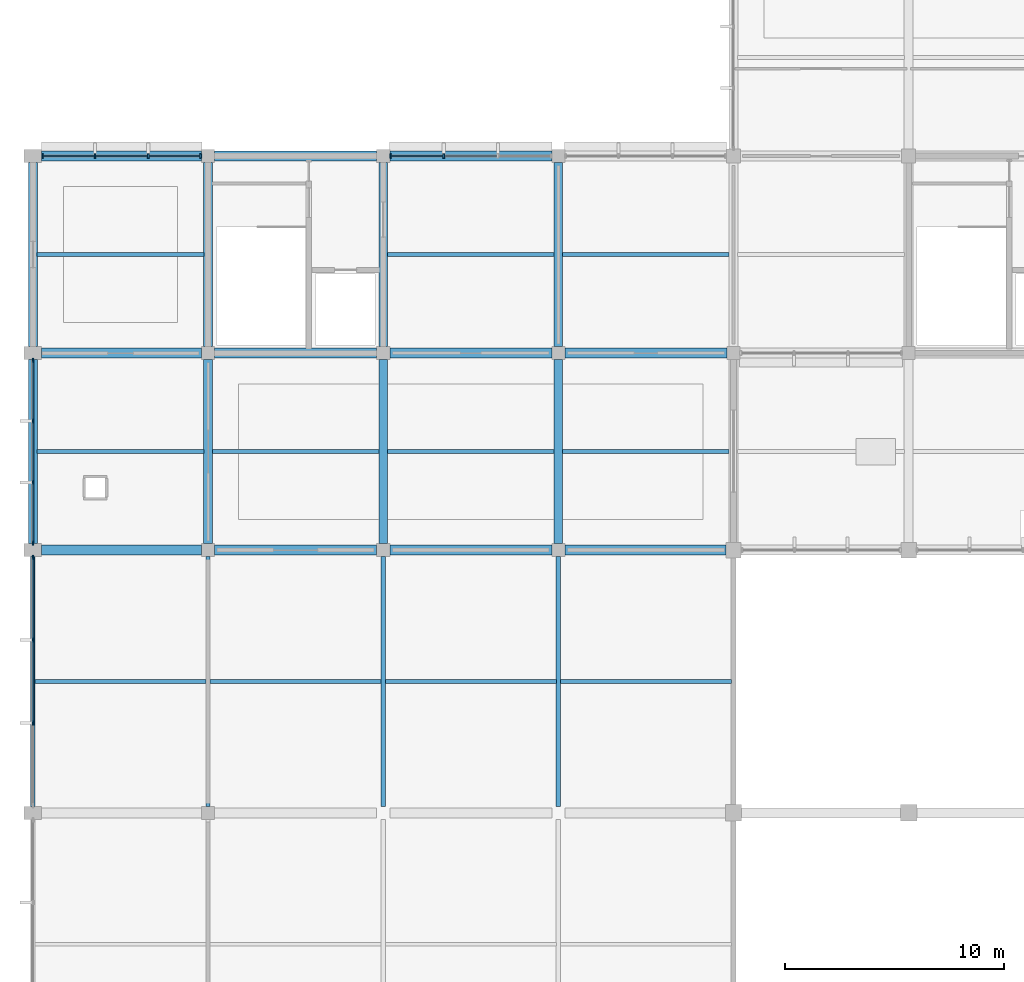
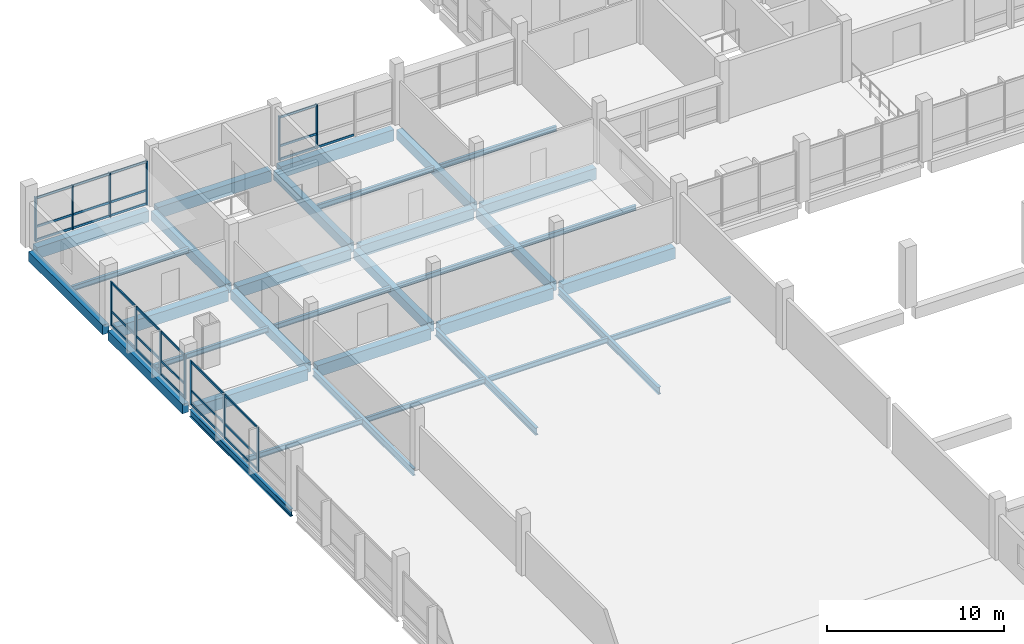
# One storey, part 18 of 70: 41 members, 34 beams, 4 elements without a shape of their own.
"""IFC4 building model written with IfcOpenShell, lengths in metres."""

from ifc_helpers import new_model, si_unit, direction, frame, origin, origin_2d, place, context, subcontext, project, spatial, rectangle, i_section, extrude, material, material_profile, profile_set, type_object, element, aggregate, save


model = new_model("IFC4")

# Units and contexts
model_context = context("Model", 3, precision=1e-05, world=origin(), true_north=direction((0.0, 1.0)))
body_context = subcontext(model_context, "Body", "Model", "MODEL_VIEW")
ifc_project = project(units=[si_unit("LENGTHUNIT", "METRE"), si_unit("AREAUNIT", "SQUARE_METRE"), si_unit("VOLUMEUNIT", "CUBIC_METRE"), si_unit("PLANEANGLEUNIT", "RADIAN"), si_unit("MASSUNIT", "GRAM", prefix="KILO"), si_unit("THERMODYNAMICTEMPERATUREUNIT", "KELVIN"), si_unit("POWERUNIT", "WATT")], contexts=[model_context])

# Site, building, storey
site_placement = place(None, origin())
site = spatial("IfcSite", under=ifc_project, at=site_placement, CompositionType="ELEMENT")
building_placement = place(site_placement, origin())
building = spatial("IfcBuilding", under=site, at=building_placement, Name="Kronsvod Quay Wholesale Market", CompositionType="ELEMENT")
storey_placement = place(building_placement, frame((0.0, 0.0, 9.0)))
storey = spatial("IfcBuildingStorey", under=building, at=storey_placement, Name="L02", CompositionType="ELEMENT", Elevation=9.0)

# Beams
ifc_material_1 = material(Name="Precast concrete C40/50", Category="concrete")
ifc_material_profile_1 = material_profile(ifc_material_1, rectangle(XDim=0.39990234375, YDim=0.64990234375, at=origin_2d()), Name="PCB400x650")
ifc_profile_set_1 = profile_set([ifc_material_profile_1], Name="Precast concrete C40/50")
beam_type_1 = type_object("IfcBeamType", Name="Beam_PCB400x650", PredefinedType="BEAM", material=ifc_profile_set_1)
for number, where, z_axis, x_axis, name in (
    (1, (0.0, 90.300048828125, -0.635009765625), (0.0, 1.0, 0.0), (-1.0, 0.0, 0.0), "BMY-L02-0-900"),
    (2, (0.0, 99.300048828125, -0.635009765625), (0.0, 1.0, 0.0), (-1.0, 0.0, 0.0), "BMY-L02-0-990"),
    (3, (8.0, 90.300048828125, -0.635009765625), (0.0, 1.0, 0.0), (-1.0, 0.0, 0.0), "BMY-L02-80-900"),
    (4, (8.0, 99.300048828125, -0.635009765625), (0.0, 1.0, 0.0), (-1.0, 0.0, 0.0), "BMY-L02-80-990"),
    (5, (16.0, 90.300048828125, -0.635009765625), (0.0, 1.0, 0.0), (-1.0, 0.0, 0.0), "BMY-L02-160-900"),
    (6, (16.0, 99.300048828125, -0.635009765625), (0.0, 1.0, 0.0), (-1.0, 0.0, 0.0), "BMY-L02-160-990"),
    (7, (24.0, 90.300048828125, -0.635009765625), (0.0, 1.0, 0.0), (-1.0, 0.0, 0.0), "BMY-L02-240-900"),
    (8, (24.0, 99.300048828125, -0.635009765625), (0.0, 1.0, 0.0), (-1.0, 0.0, 0.0), "BMY-L02-240-990"),
):
    element("IfcBeam", number, at=place(storey_placement, frame(where, z_axis=z_axis, x_axis=x_axis)), inside=storey, type_object=beam_type_1, Name=name, PredefinedType="BEAM", context=body_context, shape_type="SweptSolid", body=[
        extrude(rectangle(XDim=0.39990234375, YDim=0.64990234375, at=origin_2d()), origin(), (0.0, 0.0, 1.0), 8.39990234375),
    ])
ifc_material_2 = material(Name="Precast concrete C40/50", Category="concrete")
ifc_material_profile_2 = material_profile(ifc_material_2, rectangle(XDim=0.4599609375, YDim=0.780029296875, at=origin_2d()), Name="PB-03")
ifc_profile_set_2 = profile_set([ifc_material_profile_2], Name="Precast concrete C40/50")
beam_type_2 = type_object("IfcBeamType", Name="Beam_PCB460x780", PredefinedType="BEAM", material=ifc_profile_set_2)
beam_1_placement = place(storey_placement, frame((0.39990234375, 90.0, -0.699951171875), z_axis=(1.0, 0.0, 0.0), x_axis=(0.0, 1.0, 0.0)))
element("IfcBeam", 9, at=beam_1_placement, inside=storey, type_object=beam_type_2, Name="BMX-L02-0-900", PredefinedType="BEAM", context=body_context, shape_type="SweptSolid", body=[
    extrude(rectangle(XDim=0.4599609375, YDim=0.780029296875, at=origin_2d()), origin(), (0.0, 0.0, 1.0), 7.300048828125),
])
for number, where, z_axis, x_axis, name in (
    (10, (8.300048828125, 90.0, -0.699951171875), (1.0, 0.0, 0.0), (0.0, 1.0, 0.0), "BMX-L02-80-900"),
    (11, (16.300048828125, 90.0, -0.699951171875), (1.0, 0.0, 0.0), (0.0, 1.0, 0.0), "BMX-L02-160-900"),
):
    element("IfcBeam", number, at=place(storey_placement, frame(where, z_axis=z_axis, x_axis=x_axis)), inside=storey, type_object=beam_type_2, Name=name, PredefinedType="BEAM", context=body_context, shape_type="SweptSolid", body=[
        extrude(rectangle(XDim=0.4599609375, YDim=0.780029296875, at=origin_2d()), origin(), (0.0, 0.0, 1.0), 7.39990234375),
    ])
beam_2_placement = place(storey_placement, frame((24.300048828125, 90.0, -0.699951171875), z_axis=(1.0, 0.0, 0.0), x_axis=(0.0, 1.0, 0.0)))
element("IfcBeam", 12, at=beam_2_placement, inside=storey, type_object=beam_type_2, Name="BMX-L02-240-900", PredefinedType="BEAM", context=body_context, shape_type="SweptSolid", body=[
    extrude(rectangle(XDim=0.4599609375, YDim=0.780029296875, at=origin_2d()), origin(), (0.0, 0.0, 1.0), 7.349853515625),
])
beam_3_placement = place(storey_placement, frame((0.39990234375, 99.0, -0.699951171875), z_axis=(1.0, 0.0, 0.0), x_axis=(0.0, 1.0, 0.0)))
element("IfcBeam", 13, at=beam_3_placement, inside=storey, type_object=beam_type_2, Name="BMX-L02-0-990", PredefinedType="BEAM", context=body_context, shape_type="SweptSolid", body=[
    extrude(rectangle(XDim=0.4599609375, YDim=0.780029296875, at=origin_2d()), origin(), (0.0, 0.0, 1.0), 7.300048828125),
])
for number, where, z_axis, x_axis, name in (
    (14, (8.300048828125, 99.0, -0.699951171875), (1.0, 0.0, 0.0), (0.0, 1.0, 0.0), "BMX-L02-80-990"),
    (15, (16.300048828125, 99.0, -0.699951171875), (1.0, 0.0, 0.0), (0.0, 1.0, 0.0), "BMX-L02-160-990"),
    (16, (24.300048828125, 99.0, -0.699951171875), (1.0, 0.0, 0.0), (0.0, 1.0, 0.0), "BMX-L02-240-990"),
):
    element("IfcBeam", number, at=place(storey_placement, frame(where, z_axis=z_axis, x_axis=x_axis)), inside=storey, type_object=beam_type_2, Name=name, PredefinedType="BEAM", context=body_context, shape_type="SweptSolid", body=[
        extrude(rectangle(XDim=0.4599609375, YDim=0.780029296875, at=origin_2d()), origin(), (0.0, 0.0, 1.0), 7.39990234375),
    ])
beam_4_placement = place(storey_placement, frame((0.39990234375, 108.0, -0.699951171875), z_axis=(1.0, 0.0, 0.0), x_axis=(0.0, 1.0, 0.0)))
element("IfcBeam", 17, at=beam_4_placement, inside=storey, type_object=beam_type_2, Name="BMX-L02-0-1080", PredefinedType="BEAM", context=body_context, shape_type="SweptSolid", body=[
    extrude(rectangle(XDim=0.4599609375, YDim=0.780029296875, at=origin_2d()), origin(), (0.0, 0.0, 1.0), 7.300048828125),
])
for number, where, z_axis, x_axis, name in (
    (18, (8.300048828125, 108.0, -0.699951171875), (1.0, 0.0, 0.0), (0.0, 1.0, 0.0), "BMX-L02-80-1080"),
    (19, (16.300048828125, 108.0, -0.699951171875), (1.0, 0.0, 0.0), (0.0, 1.0, 0.0), "BMX-L02-160-1080"),
):
    element("IfcBeam", number, at=place(storey_placement, frame(where, z_axis=z_axis, x_axis=x_axis)), inside=storey, type_object=beam_type_2, Name=name, PredefinedType="BEAM", context=body_context, shape_type="SweptSolid", body=[
        extrude(rectangle(XDim=0.4599609375, YDim=0.780029296875, at=origin_2d()), origin(), (0.0, 0.0, 1.0), 7.39990234375),
    ])
ifc_material_3 = material(Name="Steel S355", Category="steel")
ifc_material_profile_3 = material_profile(ifc_material_3, i_section(OverallWidth=0.198974609375, OverallDepth=0.49609375, WebThickness=0.009033203125, FlangeThickness=0.013916015625, FilletRadius=0.02001953125, at=origin_2d()), Name="50B1")
ifc_profile_set_3 = profile_set([ifc_material_profile_3], Name="Steel S355")
beam_type_3 = type_object("IfcBeamType", Name="Girder_Steel50B1", PredefinedType="T_BEAM", material=ifc_profile_set_3)
for number, where, z_axis, x_axis, name in (
    (20, (0.0, 78.300048828125, -0.55810546875), (0.0, 1.0, 0.0), (-1.0, 0.0, 0.0), "BMY-L02-0-780"),
    (21, (8.0, 78.300048828125, -0.55810546875), (0.0, 1.0, 0.0), (-1.0, 0.0, 0.0), "BMY-L02-80-780"),
    (22, (16.0, 78.300048828125, -0.55810546875), (0.0, 1.0, 0.0), (-1.0, 0.0, 0.0), "BMY-L02-160-780"),
    (23, (24.0, 78.300048828125, -0.55810546875), (0.0, 1.0, 0.0), (-1.0, 0.0, 0.0), "BMY-L02-240-780"),
):
    element("IfcBeam", number, at=place(storey_placement, frame(where, z_axis=z_axis, x_axis=x_axis)), inside=storey, type_object=beam_type_3, Name=name, PredefinedType="T_BEAM", context=body_context, shape_type="SweptSolid", body=[
        extrude(i_section(OverallWidth=0.198974609375, OverallDepth=0.49609375, WebThickness=0.009033203125, FlangeThickness=0.013916015625, FilletRadius=0.02001953125, at=origin_2d()), origin(), (0.0, 0.0, 1.0), 11.39990234375),
    ])
ifc_material_4 = material(Name="Steel S355", Category="steel")
ifc_material_profile_4 = material_profile(ifc_material_4, i_section(OverallWidth=0.174072265625, OverallDepth=0.345947265625, WebThickness=0.006103515625, FlangeThickness=0.009033203125, FilletRadius=0.013916015625, at=origin_2d()), Name="35B1")
ifc_profile_set_4 = profile_set([ifc_material_profile_4], Name="Steel S355")
beam_type_4 = type_object("IfcBeamType", Name="Joist_Steel35B1", PredefinedType="JOIST", material=ifc_profile_set_4)
beam_5_placement = place(storey_placement, frame((0.094482421875, 84.0, -0.443115234375), z_axis=(1.0, 0.0, 0.0), x_axis=(0.0, 1.0, 0.0)))
element("IfcBeam", 24, at=beam_5_placement, inside=storey, type_object=beam_type_4, Name="JSTX-L02-0-780", PredefinedType="JOIST", context=body_context, shape_type="SweptSolid", body=[
    extrude(i_section(OverallWidth=0.174072265625, OverallDepth=0.345947265625, WebThickness=0.006103515625, FlangeThickness=0.009033203125, FilletRadius=0.013916015625, at=origin_2d()), origin(), (0.0, 0.0, 1.0), 7.81103515625),
])
for number, where, z_axis, x_axis, name in (
    (25, (0.195068359375, 94.5, -0.443115234375), (1.0, 0.0, 0.0), (0.0, 1.0, 0.0), "JSTX-L02-0-900"),
    (26, (0.195068359375, 103.5, -0.443115234375), (1.0, 0.0, 0.0), (0.0, 1.0, 0.0), "JSTX-L02-0-990"),
):
    element("IfcBeam", number, at=place(storey_placement, frame(where, z_axis=z_axis, x_axis=x_axis)), inside=storey, type_object=beam_type_4, Name=name, PredefinedType="JOIST", context=body_context, shape_type="SweptSolid", body=[
        extrude(i_section(OverallWidth=0.174072265625, OverallDepth=0.345947265625, WebThickness=0.006103515625, FlangeThickness=0.009033203125, FilletRadius=0.013916015625, at=origin_2d()), origin(), (0.0, 0.0, 1.0), 7.60986328125),
    ])
beam_6_placement = place(storey_placement, frame((8.094482421875, 84.0, -0.443115234375), z_axis=(1.0, 0.0, 0.0), x_axis=(0.0, 1.0, 0.0)))
element("IfcBeam", 27, at=beam_6_placement, inside=storey, type_object=beam_type_4, Name="JSTX-L02-80-780", PredefinedType="JOIST", context=body_context, shape_type="SweptSolid", body=[
    extrude(i_section(OverallWidth=0.174072265625, OverallDepth=0.345947265625, WebThickness=0.006103515625, FlangeThickness=0.009033203125, FilletRadius=0.013916015625, at=origin_2d()), origin(), (0.0, 0.0, 1.0), 7.81103515625),
])
beam_7_placement = place(storey_placement, frame((8.195068359375, 94.5, -0.443115234375), z_axis=(1.0, 0.0, 0.0), x_axis=(0.0, 1.0, 0.0)))
element("IfcBeam", 28, at=beam_7_placement, inside=storey, type_object=beam_type_4, Name="JSTX-L02-80-900", PredefinedType="JOIST", context=body_context, shape_type="SweptSolid", body=[
    extrude(i_section(OverallWidth=0.174072265625, OverallDepth=0.345947265625, WebThickness=0.006103515625, FlangeThickness=0.009033203125, FilletRadius=0.013916015625, at=origin_2d()), origin(), (0.0, 0.0, 1.0), 7.60986328125),
])
beam_8_placement = place(storey_placement, frame((16.094482421875, 84.0, -0.443115234375), z_axis=(1.0, 0.0, 0.0), x_axis=(0.0, 1.0, 0.0)))
element("IfcBeam", 29, at=beam_8_placement, inside=storey, type_object=beam_type_4, Name="JSTX-L02-160-780", PredefinedType="JOIST", context=body_context, shape_type="SweptSolid", body=[
    extrude(i_section(OverallWidth=0.174072265625, OverallDepth=0.345947265625, WebThickness=0.006103515625, FlangeThickness=0.009033203125, FilletRadius=0.013916015625, at=origin_2d()), origin(), (0.0, 0.0, 1.0), 7.81103515625),
])
for number, where, z_axis, x_axis, name in (
    (30, (16.195068359375, 94.5, -0.443115234375), (1.0, 0.0, 0.0), (0.0, 1.0, 0.0), "JSTX-L02-160-900"),
    (31, (16.195068359375, 103.5, -0.443115234375), (1.0, 0.0, 0.0), (0.0, 1.0, 0.0), "JSTX-L02-160-990"),
):
    element("IfcBeam", number, at=place(storey_placement, frame(where, z_axis=z_axis, x_axis=x_axis)), inside=storey, type_object=beam_type_4, Name=name, PredefinedType="JOIST", context=body_context, shape_type="SweptSolid", body=[
        extrude(i_section(OverallWidth=0.174072265625, OverallDepth=0.345947265625, WebThickness=0.006103515625, FlangeThickness=0.009033203125, FilletRadius=0.013916015625, at=origin_2d()), origin(), (0.0, 0.0, 1.0), 7.60986328125),
    ])
beam_9_placement = place(storey_placement, frame((24.094482421875, 84.0, -0.443115234375), z_axis=(1.0, 0.0, 0.0), x_axis=(0.0, 1.0, 0.0)))
element("IfcBeam", 32, at=beam_9_placement, inside=storey, type_object=beam_type_4, Name="JSTX-L02-240-780", PredefinedType="JOIST", context=body_context, shape_type="SweptSolid", body=[
    extrude(i_section(OverallWidth=0.174072265625, OverallDepth=0.345947265625, WebThickness=0.006103515625, FlangeThickness=0.009033203125, FilletRadius=0.013916015625, at=origin_2d()), origin(), (0.0, 0.0, 1.0), 7.81103515625),
])
for number, where, z_axis, x_axis, name in (
    (33, (24.195068359375, 94.5, -0.443115234375), (1.0, 0.0, 0.0), (0.0, 1.0, 0.0), "JSTX-L02-240-900"),
    (34, (24.195068359375, 103.5, -0.443115234375), (1.0, 0.0, 0.0), (0.0, 1.0, 0.0), "JSTX-L02-240-990"),
):
    element("IfcBeam", number, at=place(storey_placement, frame(where, z_axis=z_axis, x_axis=x_axis)), inside=storey, type_object=beam_type_4, Name=name, PredefinedType="JOIST", context=body_context, shape_type="SweptSolid", body=[
        extrude(i_section(OverallWidth=0.174072265625, OverallDepth=0.345947265625, WebThickness=0.006103515625, FlangeThickness=0.009033203125, FilletRadius=0.013916015625, at=origin_2d()), origin(), (0.0, 0.0, 1.0), 7.60986328125),
    ])

# Curtain wall, members
ifc_material_5 = material(Name="Thermally broken aluminium and triple low-E glazing", Category="aluminium")
curtain_wall_type_1 = type_object("IfcCurtainWallType", Name="CW_Forecourt80x33", PredefinedType="NOTDEFINED", material=ifc_material_5)
curtain_wall_1_placement = place(storey_placement, origin())
curtain_wall_1 = element("IfcCurtainWall", 35, at=curtain_wall_1_placement, inside=storey, type_object=curtain_wall_type_1, Name="CWGX-L02-0-1080", PredefinedType="NOTDEFINED")
ifc_material_6 = material(Name="Anodised aluminium", Category="aluminium")
ifc_material_profile_5 = material_profile(ifc_material_6, rectangle(XDim=0.074951171875, YDim=0.199951171875, at=origin_2d()), Name="ALUM75x200")
ifc_profile_set_5 = profile_set([ifc_material_profile_5], Name="Anodised aluminium")
member_type_1 = type_object("IfcMemberType", Name="Mullion_ALU75x200", PredefinedType="MULLION", material=ifc_profile_set_5)
member_1_placement = place(storey_placement, frame((7.66748046875, 108.0, 0.0), z_axis=(0.0, 0.0, 1.0), x_axis=(1.0, 0.0, 0.0)))
member_1 = element("IfcMember", 36, at=member_1_placement, type_object=member_type_1, Name="CWGX-L02-0-1080-M1", PredefinedType="MULLION", context=body_context, shape_type="SweptSolid", body=[
    extrude(rectangle(XDim=0.074951171875, YDim=0.199951171875, at=origin_2d()), origin(), (0.0, 0.0, 1.0), 3.050048828125),
])
member_2_placement = place(storey_placement, frame((5.268310546875, 108.0, 0.0), z_axis=(0.0, 0.0, 1.0), x_axis=(1.0, 0.0, 0.0)))
member_2 = element("IfcMember", 37, at=member_2_placement, type_object=member_type_1, Name="CWGX-L02-0-1080-M2", PredefinedType="MULLION", context=body_context, shape_type="SweptSolid", body=[
    extrude(rectangle(XDim=0.074951171875, YDim=0.199951171875, at=origin_2d()), origin(), (0.0, 0.0, 1.0), 3.050048828125),
])
member_3_placement = place(storey_placement, frame((2.831787109375, 108.0, 0.0), z_axis=(0.0, 0.0, 1.0), x_axis=(1.0, 0.0, 0.0)))
member_3 = element("IfcMember", 38, at=member_3_placement, type_object=member_type_1, Name="CWGX-L02-0-1080-M3", PredefinedType="MULLION", context=body_context, shape_type="SweptSolid", body=[
    extrude(rectangle(XDim=0.074951171875, YDim=0.199951171875, at=origin_2d()), origin(), (0.0, 0.0, 1.0), 3.050048828125),
])
member_4_placement = place(storey_placement, frame((0.4326171875, 108.0, 0.0), z_axis=(0.0, 0.0, 1.0), x_axis=(1.0, 0.0, 0.0)))
member_4 = element("IfcMember", 39, at=member_4_placement, type_object=member_type_1, Name="CWGX-L02-0-1080-M4", PredefinedType="MULLION", context=body_context, shape_type="SweptSolid", body=[
    extrude(rectangle(XDim=0.074951171875, YDim=0.199951171875, at=origin_2d()), origin(), (0.0, 0.0, 1.0), 3.050048828125),
])

curtain_wall_2_placement = place(storey_placement, origin())
curtain_wall_2 = element("IfcCurtainWall", 40, at=curtain_wall_2_placement, inside=storey, type_object=curtain_wall_type_1, Name="CWGX-L02-160-1080", PredefinedType="NOTDEFINED")
member_5_placement = place(storey_placement, frame((18.764892578125, 108.0, 0.0), z_axis=(0.0, 0.0, 1.0), x_axis=(1.0, 0.0, 0.0)))
member_5 = element("IfcMember", 41, at=member_5_placement, type_object=member_type_1, Name="CWGX-L02-160-1080-M3", PredefinedType="MULLION", context=body_context, shape_type="SweptSolid", body=[
    extrude(rectangle(XDim=0.074951171875, YDim=0.199951171875, at=origin_2d()), origin(), (0.0, 0.0, 1.0), 3.050048828125),
])
member_6_placement = place(storey_placement, frame((16.33251953125, 108.0, 0.0), z_axis=(0.0, 0.0, 1.0), x_axis=(1.0, 0.0, 0.0)))
member_6 = element("IfcMember", 42, at=member_6_placement, type_object=member_type_1, Name="CWGX-L02-160-1080-M4", PredefinedType="MULLION", context=body_context, shape_type="SweptSolid", body=[
    extrude(rectangle(XDim=0.074951171875, YDim=0.199951171875, at=origin_2d()), origin(), (0.0, 0.0, 1.0), 3.050048828125),
])

ifc_material_7 = material(Name="Thermally broken aluminium and triple low-E glazing", Category="aluminium")
curtain_wall_type_2 = type_object("IfcCurtainWallType", Name="CW_WestLab90x37", PredefinedType="NOTDEFINED", material=ifc_material_7)
curtain_wall_3_placement = place(storey_placement, origin())
curtain_wall_3 = element("IfcCurtainWall", 43, at=curtain_wall_3_placement, inside=storey, type_object=curtain_wall_type_2, Name="CWGY-L02-0-780", PredefinedType="NOTDEFINED")
member_7_placement = place(storey_placement, frame((0.0, 89.66748046875, 0.0), z_axis=(0.0, 0.0, 1.0), x_axis=(1.0, 0.0, 0.0)))
member_7 = element("IfcMember", 44, at=member_7_placement, type_object=member_type_1, Name="CWGY-L02-0-780-M1", PredefinedType="MULLION", context=body_context, shape_type="SweptSolid", body=[
    extrude(rectangle(XDim=0.074951171875, YDim=0.199951171875, at=origin_2d()), origin(), (0.0, 0.0, 1.0), 3.050048828125),
])
member_8_placement = place(storey_placement, frame((0.0, 85.901611328125, 0.0), z_axis=(0.0, 0.0, 1.0), x_axis=(1.0, 0.0, 0.0)))
member_8 = element("IfcMember", 45, at=member_8_placement, type_object=member_type_1, Name="CWGY-L02-0-780-M2", PredefinedType="MULLION", context=body_context, shape_type="SweptSolid", body=[
    extrude(rectangle(XDim=0.074951171875, YDim=0.199951171875, at=origin_2d()), origin(), (0.0, 0.0, 1.0), 3.050048828125),
])
member_9_placement = place(storey_placement, frame((0.0, 82.098388671875, 0.0), z_axis=(0.0, 0.0, 1.0), x_axis=(1.0, 0.0, 0.0)))
member_9 = element("IfcMember", 46, at=member_9_placement, type_object=member_type_1, Name="CWGY-L02-0-780-M3", PredefinedType="MULLION", context=body_context, shape_type="SweptSolid", body=[
    extrude(rectangle(XDim=0.074951171875, YDim=0.199951171875, at=origin_2d()), origin(), (0.0, 0.0, 1.0), 3.050048828125),
])

ifc_material_8 = material(Name="Thermally broken aluminium and triple low-E glazing", Category="aluminium")
curtain_wall_type_3 = type_object("IfcCurtainWallType", Name="CW_Wing90x33", PredefinedType="NOTDEFINED", material=ifc_material_8)
curtain_wall_4_placement = place(storey_placement, origin())
curtain_wall_4 = element("IfcCurtainWall", 47, at=curtain_wall_4_placement, inside=storey, type_object=curtain_wall_type_3, Name="CWGY-L02-0-900", PredefinedType="NOTDEFINED")
member_10_placement = place(storey_placement, frame((0.0, 98.66748046875, 0.0), z_axis=(0.0, 0.0, 1.0), x_axis=(1.0, 0.0, 0.0)))
member_10 = element("IfcMember", 48, at=member_10_placement, type_object=member_type_1, Name="CWGY-L02-0-900-M1", PredefinedType="MULLION", context=body_context, shape_type="SweptSolid", body=[
    extrude(rectangle(XDim=0.074951171875, YDim=0.199951171875, at=origin_2d()), origin(), (0.0, 0.0, 1.0), 3.050048828125),
])
member_11_placement = place(storey_placement, frame((0.0, 95.901611328125, 0.0), z_axis=(0.0, 0.0, 1.0), x_axis=(1.0, 0.0, 0.0)))
member_11 = element("IfcMember", 49, at=member_11_placement, type_object=member_type_1, Name="CWGY-L02-0-900-M2", PredefinedType="MULLION", context=body_context, shape_type="SweptSolid", body=[
    extrude(rectangle(XDim=0.074951171875, YDim=0.199951171875, at=origin_2d()), origin(), (0.0, 0.0, 1.0), 3.050048828125),
])
member_12_placement = place(storey_placement, frame((0.0, 93.098388671875, 0.0), z_axis=(0.0, 0.0, 1.0), x_axis=(1.0, 0.0, 0.0)))
member_12 = element("IfcMember", 50, at=member_12_placement, type_object=member_type_1, Name="CWGY-L02-0-900-M3", PredefinedType="MULLION", context=body_context, shape_type="SweptSolid", body=[
    extrude(rectangle(XDim=0.074951171875, YDim=0.199951171875, at=origin_2d()), origin(), (0.0, 0.0, 1.0), 3.050048828125),
])
member_13_placement = place(storey_placement, frame((0.0, 90.33251953125, 0.0), z_axis=(0.0, 0.0, 1.0), x_axis=(1.0, 0.0, 0.0)))
member_13 = element("IfcMember", 51, at=member_13_placement, type_object=member_type_1, Name="CWGY-L02-0-900-M4", PredefinedType="MULLION", context=body_context, shape_type="SweptSolid", body=[
    extrude(rectangle(XDim=0.074951171875, YDim=0.199951171875, at=origin_2d()), origin(), (0.0, 0.0, 1.0), 3.050048828125),
])

# Member
ifc_material_9 = material(Name="Anodised aluminium", Category="aluminium")
ifc_material_profile_6 = material_profile(ifc_material_9, rectangle(XDim=0.074951171875, YDim=0.14990234375, at=origin_2d()), Name="ALUT75x150")
ifc_profile_set_6 = profile_set([ifc_material_profile_6], Name="Anodised aluminium")
member_type_2 = type_object("IfcMemberType", Name="Transom_ALU75x150", PredefinedType="USERDEFINED", material=ifc_profile_set_6)
member_14_placement = place(storey_placement, frame((7.6298828125, 108.0, 0.074951171875), z_axis=(-1.0, 0.0, 0.0), x_axis=(0.0, -1.0, 0.0)))
member_14 = element("IfcMember", 52, at=member_14_placement, type_object=member_type_2, Name="CWGX-L02-0-1080-T1B1", ObjectType="TRANSOM", PredefinedType="USERDEFINED", context=body_context, shape_type="SweptSolid", body=[
    extrude(rectangle(XDim=0.074951171875, YDim=0.14990234375, at=origin_2d()), origin(), (0.0, 0.0, 1.0), 2.323974609375),
])

member_15_placement = place(storey_placement, frame((5.230712890625, 108.0, 0.074951171875), z_axis=(-1.0, 0.0, 0.0), x_axis=(0.0, -1.0, 0.0)))
member_15 = element("IfcMember", 53, at=member_15_placement, type_object=member_type_2, Name="CWGX-L02-0-1080-T1B2", ObjectType="TRANSOM", PredefinedType="USERDEFINED", context=body_context, shape_type="SweptSolid", body=[
    extrude(rectangle(XDim=0.074951171875, YDim=0.14990234375, at=origin_2d()), origin(), (0.0, 0.0, 1.0), 2.361572265625),
])

member_16_placement = place(storey_placement, frame((2.794189453125, 108.0, 0.074951171875), z_axis=(-1.0, 0.0, 0.0), x_axis=(0.0, -1.0, 0.0)))
member_16 = element("IfcMember", 54, at=member_16_placement, type_object=member_type_2, Name="CWGX-L02-0-1080-T1B3", ObjectType="TRANSOM", PredefinedType="USERDEFINED", context=body_context, shape_type="SweptSolid", body=[
    extrude(rectangle(XDim=0.074951171875, YDim=0.14990234375, at=origin_2d()), origin(), (0.0, 0.0, 1.0), 2.32421875),
])

member_17_placement = place(storey_placement, frame((7.6298828125, 108.0, 1.0), z_axis=(-1.0, 0.0, 0.0), x_axis=(0.0, -1.0, 0.0)))
member_17 = element("IfcMember", 55, at=member_17_placement, type_object=member_type_2, Name="CWGX-L02-0-1080-T2B1", ObjectType="TRANSOM", PredefinedType="USERDEFINED", context=body_context, shape_type="SweptSolid", body=[
    extrude(rectangle(XDim=0.074951171875, YDim=0.14990234375, at=origin_2d()), origin(), (0.0, 0.0, 1.0), 2.323974609375),
])

member_18_placement = place(storey_placement, frame((5.230712890625, 108.0, 1.0), z_axis=(-1.0, 0.0, 0.0), x_axis=(0.0, -1.0, 0.0)))
member_18 = element("IfcMember", 56, at=member_18_placement, type_object=member_type_2, Name="CWGX-L02-0-1080-T2B2", ObjectType="TRANSOM", PredefinedType="USERDEFINED", context=body_context, shape_type="SweptSolid", body=[
    extrude(rectangle(XDim=0.074951171875, YDim=0.14990234375, at=origin_2d()), origin(), (0.0, 0.0, 1.0), 2.361572265625),
])

member_19_placement = place(storey_placement, frame((2.794189453125, 108.0, 1.0), z_axis=(-1.0, 0.0, 0.0), x_axis=(0.0, -1.0, 0.0)))
member_19 = element("IfcMember", 57, at=member_19_placement, type_object=member_type_2, Name="CWGX-L02-0-1080-T2B3", ObjectType="TRANSOM", PredefinedType="USERDEFINED", context=body_context, shape_type="SweptSolid", body=[
    extrude(rectangle(XDim=0.074951171875, YDim=0.14990234375, at=origin_2d()), origin(), (0.0, 0.0, 1.0), 2.32421875),
])

member_20_placement = place(storey_placement, frame((7.6298828125, 108.0, 2.97509765625), z_axis=(-1.0, 0.0, 0.0), x_axis=(0.0, -1.0, 0.0)))
member_20 = element("IfcMember", 58, at=member_20_placement, type_object=member_type_2, Name="CWGX-L02-0-1080-T3B1", ObjectType="TRANSOM", PredefinedType="USERDEFINED", context=body_context, shape_type="SweptSolid", body=[
    extrude(rectangle(XDim=0.074951171875, YDim=0.14990234375, at=origin_2d()), origin(), (0.0, 0.0, 1.0), 2.323974609375),
])

member_21_placement = place(storey_placement, frame((5.230712890625, 108.0, 2.97509765625), z_axis=(-1.0, 0.0, 0.0), x_axis=(0.0, -1.0, 0.0)))
member_21 = element("IfcMember", 59, at=member_21_placement, type_object=member_type_2, Name="CWGX-L02-0-1080-T3B2", ObjectType="TRANSOM", PredefinedType="USERDEFINED", context=body_context, shape_type="SweptSolid", body=[
    extrude(rectangle(XDim=0.074951171875, YDim=0.14990234375, at=origin_2d()), origin(), (0.0, 0.0, 1.0), 2.361572265625),
])

member_22_placement = place(storey_placement, frame((2.794189453125, 108.0, 2.97509765625), z_axis=(-1.0, 0.0, 0.0), x_axis=(0.0, -1.0, 0.0)))
member_22 = element("IfcMember", 60, at=member_22_placement, type_object=member_type_2, Name="CWGX-L02-0-1080-T3B3", ObjectType="TRANSOM", PredefinedType="USERDEFINED", context=body_context, shape_type="SweptSolid", body=[
    extrude(rectangle(XDim=0.074951171875, YDim=0.14990234375, at=origin_2d()), origin(), (0.0, 0.0, 1.0), 2.32421875),
])

aggregate(curtain_wall_1, [member_1, member_2, member_3, member_4, member_14, member_15, member_16, member_17, member_18, member_19, member_20, member_21, member_22])

member_23_placement = place(storey_placement, frame((21.197509765625, 108.0, 0.074951171875), z_axis=(-1.0, 0.0, 0.0), x_axis=(0.0, -1.0, 0.0)))
member_23 = element("IfcMember", 61, at=member_23_placement, type_object=member_type_2, Name="CWGX-L02-160-1080-T1B2", ObjectType="TRANSOM", PredefinedType="USERDEFINED", context=body_context, shape_type="SweptSolid", body=[
    extrude(rectangle(XDim=0.074951171875, YDim=0.14990234375, at=origin_2d()), origin(), (0.0, 0.0, 1.0), 2.39501953125),
])

member_24_placement = place(storey_placement, frame((18.7275390625, 108.0, 0.074951171875), z_axis=(-1.0, 0.0, 0.0), x_axis=(0.0, -1.0, 0.0)))
member_24 = element("IfcMember", 62, at=member_24_placement, type_object=member_type_2, Name="CWGX-L02-160-1080-T1B3", ObjectType="TRANSOM", PredefinedType="USERDEFINED", context=body_context, shape_type="SweptSolid", body=[
    extrude(rectangle(XDim=0.074951171875, YDim=0.14990234375, at=origin_2d()), origin(), (0.0, 0.0, 1.0), 2.357421875),
])

member_25_placement = place(storey_placement, frame((18.7275390625, 108.0, 1.0), z_axis=(-1.0, 0.0, 0.0), x_axis=(0.0, -1.0, 0.0)))
member_25 = element("IfcMember", 63, at=member_25_placement, type_object=member_type_2, Name="CWGX-L02-160-1080-T2B3", ObjectType="TRANSOM", PredefinedType="USERDEFINED", context=body_context, shape_type="SweptSolid", body=[
    extrude(rectangle(XDim=0.074951171875, YDim=0.14990234375, at=origin_2d()), origin(), (0.0, 0.0, 1.0), 2.357421875),
])

member_26_placement = place(storey_placement, frame((18.7275390625, 108.0, 2.97509765625), z_axis=(-1.0, 0.0, 0.0), x_axis=(0.0, -1.0, 0.0)))
member_26 = element("IfcMember", 64, at=member_26_placement, type_object=member_type_2, Name="CWGX-L02-160-1080-T3B3", ObjectType="TRANSOM", PredefinedType="USERDEFINED", context=body_context, shape_type="SweptSolid", body=[
    extrude(rectangle(XDim=0.074951171875, YDim=0.14990234375, at=origin_2d()), origin(), (0.0, 0.0, 1.0), 2.357421875),
])

aggregate(curtain_wall_2, [member_5, member_6, member_23, member_24, member_25, member_26])

member_27_placement = place(storey_placement, frame((0.0, 89.6298828125, 0.074951171875), z_axis=(0.0, -1.0, 0.0), x_axis=(1.0, 0.0, 0.0)))
member_27 = element("IfcMember", 65, at=member_27_placement, type_object=member_type_2, Name="CWGY-L02-0-780-T1B1", ObjectType="TRANSOM", PredefinedType="USERDEFINED", context=body_context, shape_type="SweptSolid", body=[
    extrude(rectangle(XDim=0.074951171875, YDim=0.14990234375, at=origin_2d()), origin(), (0.0, 0.0, 1.0), 3.690673828125),
])

member_28_placement = place(storey_placement, frame((0.0, 85.8642578125, 0.074951171875), z_axis=(0.0, -1.0, 0.0), x_axis=(1.0, 0.0, 0.0)))
member_28 = element("IfcMember", 66, at=member_28_placement, type_object=member_type_2, Name="CWGY-L02-0-780-T1B2", ObjectType="TRANSOM", PredefinedType="USERDEFINED", context=body_context, shape_type="SweptSolid", body=[
    extrude(rectangle(XDim=0.074951171875, YDim=0.14990234375, at=origin_2d()), origin(), (0.0, 0.0, 1.0), 3.728515625),
])

member_29_placement = place(storey_placement, frame((0.0, 89.6298828125, 1.0), z_axis=(0.0, -1.0, 0.0), x_axis=(1.0, 0.0, 0.0)))
member_29 = element("IfcMember", 67, at=member_29_placement, type_object=member_type_2, Name="CWGY-L02-0-780-T2B1", ObjectType="TRANSOM", PredefinedType="USERDEFINED", context=body_context, shape_type="SweptSolid", body=[
    extrude(rectangle(XDim=0.074951171875, YDim=0.14990234375, at=origin_2d()), origin(), (0.0, 0.0, 1.0), 3.690673828125),
])

member_30_placement = place(storey_placement, frame((0.0, 85.8642578125, 1.0), z_axis=(0.0, -1.0, 0.0), x_axis=(1.0, 0.0, 0.0)))
member_30 = element("IfcMember", 68, at=member_30_placement, type_object=member_type_2, Name="CWGY-L02-0-780-T2B2", ObjectType="TRANSOM", PredefinedType="USERDEFINED", context=body_context, shape_type="SweptSolid", body=[
    extrude(rectangle(XDim=0.074951171875, YDim=0.14990234375, at=origin_2d()), origin(), (0.0, 0.0, 1.0), 3.728515625),
])

member_31_placement = place(storey_placement, frame((0.0, 89.6298828125, 2.97509765625), z_axis=(0.0, -1.0, 0.0), x_axis=(1.0, 0.0, 0.0)))
member_31 = element("IfcMember", 69, at=member_31_placement, type_object=member_type_2, Name="CWGY-L02-0-780-T3B1", ObjectType="TRANSOM", PredefinedType="USERDEFINED", context=body_context, shape_type="SweptSolid", body=[
    extrude(rectangle(XDim=0.074951171875, YDim=0.14990234375, at=origin_2d()), origin(), (0.0, 0.0, 1.0), 3.690673828125),
])

member_32_placement = place(storey_placement, frame((0.0, 85.8642578125, 2.97509765625), z_axis=(0.0, -1.0, 0.0), x_axis=(1.0, 0.0, 0.0)))
member_32 = element("IfcMember", 70, at=member_32_placement, type_object=member_type_2, Name="CWGY-L02-0-780-T3B2", ObjectType="TRANSOM", PredefinedType="USERDEFINED", context=body_context, shape_type="SweptSolid", body=[
    extrude(rectangle(XDim=0.074951171875, YDim=0.14990234375, at=origin_2d()), origin(), (0.0, 0.0, 1.0), 3.728515625),
])

aggregate(curtain_wall_3, [member_7, member_8, member_9, member_27, member_28, member_29, member_30, member_31, member_32])

member_33_placement = place(storey_placement, frame((0.0, 98.6298828125, 0.074951171875), z_axis=(0.0, -1.0, 0.0), x_axis=(1.0, 0.0, 0.0)))
member_33 = element("IfcMember", 71, at=member_33_placement, type_object=member_type_2, Name="CWGY-L02-0-900-T1B1", ObjectType="TRANSOM", PredefinedType="USERDEFINED", context=body_context, shape_type="SweptSolid", body=[
    extrude(rectangle(XDim=0.074951171875, YDim=0.14990234375, at=origin_2d()), origin(), (0.0, 0.0, 1.0), 2.690673828125),
])

member_34_placement = place(storey_placement, frame((0.0, 95.8642578125, 0.074951171875), z_axis=(0.0, -1.0, 0.0), x_axis=(1.0, 0.0, 0.0)))
member_34 = element("IfcMember", 72, at=member_34_placement, type_object=member_type_2, Name="CWGY-L02-0-900-T1B2", ObjectType="TRANSOM", PredefinedType="USERDEFINED", context=body_context, shape_type="SweptSolid", body=[
    extrude(rectangle(XDim=0.074951171875, YDim=0.14990234375, at=origin_2d()), origin(), (0.0, 0.0, 1.0), 2.728515625),
])

member_35_placement = place(storey_placement, frame((0.0, 93.060791015625, 0.074951171875), z_axis=(0.0, -1.0, 0.0), x_axis=(1.0, 0.0, 0.0)))
member_35 = element("IfcMember", 73, at=member_35_placement, type_object=member_type_2, Name="CWGY-L02-0-900-T1B3", ObjectType="TRANSOM", PredefinedType="USERDEFINED", context=body_context, shape_type="SweptSolid", body=[
    extrude(rectangle(XDim=0.074951171875, YDim=0.14990234375, at=origin_2d()), origin(), (0.0, 0.0, 1.0), 2.690673828125),
])

member_36_placement = place(storey_placement, frame((0.0, 98.6298828125, 1.0), z_axis=(0.0, -1.0, 0.0), x_axis=(1.0, 0.0, 0.0)))
member_36 = element("IfcMember", 74, at=member_36_placement, type_object=member_type_2, Name="CWGY-L02-0-900-T2B1", ObjectType="TRANSOM", PredefinedType="USERDEFINED", context=body_context, shape_type="SweptSolid", body=[
    extrude(rectangle(XDim=0.074951171875, YDim=0.14990234375, at=origin_2d()), origin(), (0.0, 0.0, 1.0), 2.690673828125),
])

member_37_placement = place(storey_placement, frame((0.0, 95.8642578125, 1.0), z_axis=(0.0, -1.0, 0.0), x_axis=(1.0, 0.0, 0.0)))
member_37 = element("IfcMember", 75, at=member_37_placement, type_object=member_type_2, Name="CWGY-L02-0-900-T2B2", ObjectType="TRANSOM", PredefinedType="USERDEFINED", context=body_context, shape_type="SweptSolid", body=[
    extrude(rectangle(XDim=0.074951171875, YDim=0.14990234375, at=origin_2d()), origin(), (0.0, 0.0, 1.0), 2.728515625),
])

member_38_placement = place(storey_placement, frame((0.0, 93.060791015625, 1.0), z_axis=(0.0, -1.0, 0.0), x_axis=(1.0, 0.0, 0.0)))
member_38 = element("IfcMember", 76, at=member_38_placement, type_object=member_type_2, Name="CWGY-L02-0-900-T2B3", ObjectType="TRANSOM", PredefinedType="USERDEFINED", context=body_context, shape_type="SweptSolid", body=[
    extrude(rectangle(XDim=0.074951171875, YDim=0.14990234375, at=origin_2d()), origin(), (0.0, 0.0, 1.0), 2.690673828125),
])

member_39_placement = place(storey_placement, frame((0.0, 98.6298828125, 2.97509765625), z_axis=(0.0, -1.0, 0.0), x_axis=(1.0, 0.0, 0.0)))
member_39 = element("IfcMember", 77, at=member_39_placement, type_object=member_type_2, Name="CWGY-L02-0-900-T3B1", ObjectType="TRANSOM", PredefinedType="USERDEFINED", context=body_context, shape_type="SweptSolid", body=[
    extrude(rectangle(XDim=0.074951171875, YDim=0.14990234375, at=origin_2d()), origin(), (0.0, 0.0, 1.0), 2.690673828125),
])

member_40_placement = place(storey_placement, frame((0.0, 95.8642578125, 2.97509765625), z_axis=(0.0, -1.0, 0.0), x_axis=(1.0, 0.0, 0.0)))
member_40 = element("IfcMember", 78, at=member_40_placement, type_object=member_type_2, Name="CWGY-L02-0-900-T3B2", ObjectType="TRANSOM", PredefinedType="USERDEFINED", context=body_context, shape_type="SweptSolid", body=[
    extrude(rectangle(XDim=0.074951171875, YDim=0.14990234375, at=origin_2d()), origin(), (0.0, 0.0, 1.0), 2.728515625),
])

member_41_placement = place(storey_placement, frame((0.0, 93.060791015625, 2.97509765625), z_axis=(0.0, -1.0, 0.0), x_axis=(1.0, 0.0, 0.0)))
member_41 = element("IfcMember", 79, at=member_41_placement, type_object=member_type_2, Name="CWGY-L02-0-900-T3B3", ObjectType="TRANSOM", PredefinedType="USERDEFINED", context=body_context, shape_type="SweptSolid", body=[
    extrude(rectangle(XDim=0.074951171875, YDim=0.14990234375, at=origin_2d()), origin(), (0.0, 0.0, 1.0), 2.690673828125),
])

aggregate(curtain_wall_4, [member_10, member_11, member_12, member_13, member_33, member_34, member_35, member_36, member_37, member_38, member_39, member_40, member_41])

save(model, "model.ifc")
